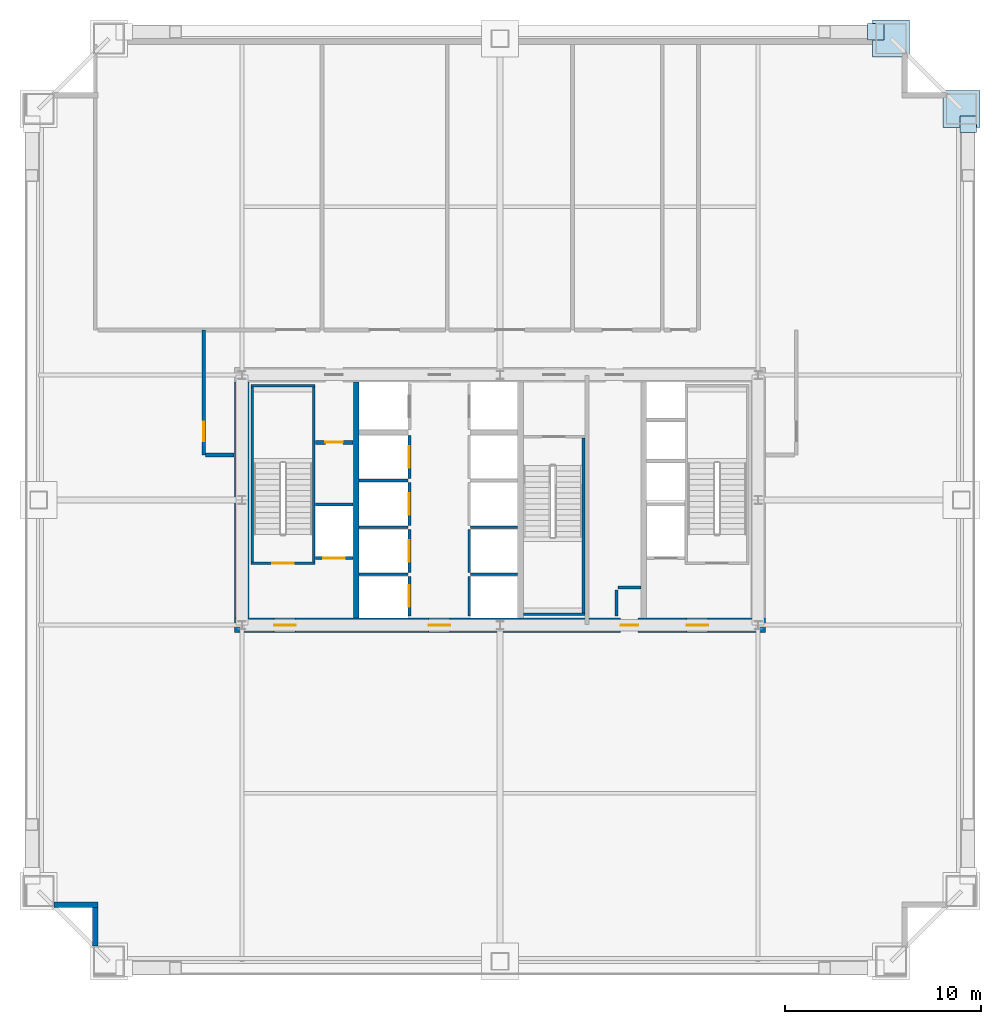
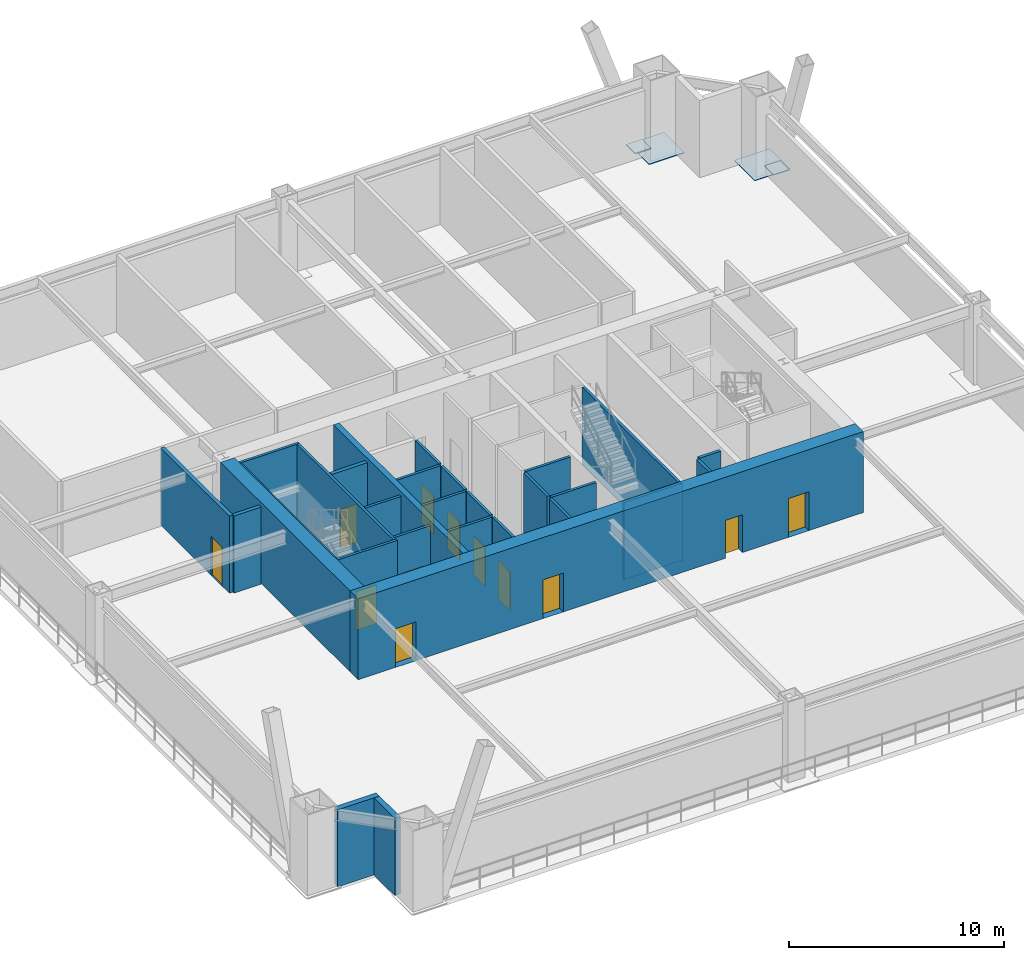
# One storey, part 3 of 9: 29 walls, 12 doors, 4 plates, 12 openings.
"""IFC4 building model written with IfcOpenShell, lengths in metres."""

from ifc_helpers import new_model, si_unit, direction, frame, frame_2d, origin, origin_2d, place, context, subcontext, project, spatial, rectangle, extrude, source, transform, mapped, material, layer, layer_set, type_object, element, fill, save


model = new_model("IFC4")

# Units and contexts
model_context = context("Model", 3, precision=1e-05, world=origin(), true_north=direction((0.0, 1.0)))
body_context = subcontext(model_context, "Body", "Model", "MODEL_VIEW")
ifc_project = project(units=[si_unit("LENGTHUNIT", "METRE"), si_unit("AREAUNIT", "SQUARE_METRE"), si_unit("VOLUMEUNIT", "CUBIC_METRE"), si_unit("PLANEANGLEUNIT", "RADIAN"), si_unit("MASSUNIT", "GRAM", prefix="KILO"), si_unit("THERMODYNAMICTEMPERATUREUNIT", "KELVIN"), si_unit("POWERUNIT", "WATT")], contexts=[model_context])

# Site, building, storey
site_placement = place(None, origin())
site = spatial("IfcSite", under=ifc_project, at=site_placement, CompositionType="ELEMENT")
building_placement = place(site_placement, origin())
building = spatial("IfcBuilding", under=site, at=building_placement, Name="Yuzanri Waterfront Tower", CompositionType="ELEMENT")
storey_placement = place(building_placement, frame((0.0, 0.0, 85.60009765625)))
storey = spatial("IfcBuildingStorey", under=building, at=storey_placement, Name="L22", CompositionType="ELEMENT", Elevation=85.60009765625)

# Plates
ifc_material_1 = material(Name="Steel Q420GJC", Category="steel")
ifc_layer_1 = layer(ifc_material_1, 0.044921875)
ifc_layer_set_1 = layer_set([ifc_layer_1], Name="Steel Q420GJC")
plate_type_1 = type_object("IfcPlateType", Name="Steel Q420GJC Setback Column-Transfer Diaphragm Cap Plate 45", PredefinedType="SHEET", material=ifc_layer_set_1)
shared_shape_1 = source(origin(), body_context, "Body", "SweptSolid", [
    extrude(rectangle(XDim=1.89990234375, YDim=1.89990234375, at=origin_2d()), origin(), (0.0, 0.0, 1.0), 0.044921875),
])
for number, where, z_axis, x_axis, name in (
    (1, (57.0, 49.39990234375, -0.0224609375), (0.0, 0.0, 1.0), (1.0, 0.0, 0.0), "L22 Column Base Closure Plate N3"),
    (2, (60.60009765625, 45.800048828125, -0.0224609375), (0.0, 0.0, 1.0), (1.0, 0.0, 0.0), "L22 Column Base Closure Plate E3"),
):
    element("IfcPlate", number, at=place(storey_placement, frame(where, z_axis=z_axis, x_axis=x_axis)), inside=storey, type_object=plate_type_1, Name=name, PredefinedType="SHEET", context=body_context, shape_type="MappedRepresentation", body=[
        mapped(shared_shape_1, transform((0.0, 0.0, 0.0), scale=1.0)),
    ])
ifc_material_2 = material(Name="Steel Q420GJC", Category="steel")
ifc_layer_2 = layer(ifc_material_2, 0.0400390625)
ifc_layer_set_2 = layer_set([ifc_layer_2], Name="Steel Q420GJC")
plate_type_2 = type_object("IfcPlateType", Name="Steel Q420GJC Mega-Brace Gusset and End-Cap Plate 40", PredefinedType="SHEET", material=ifc_layer_set_2)
shared_shape_2 = source(origin(), body_context, "Body", "SweptSolid", [
    extrude(rectangle(XDim=0.85009765625, YDim=0.85009765625, at=origin_2d()), origin(), (0.0, 0.0, 1.0), 0.0400390625),
])
for number, where, z_axis, x_axis, name in (
    (3, (56.219970703125, 49.739990234375, 0.159912109375), (0.0, 0.0, 1.0), (1.0, 0.0, 0.0), "L22 Mega-Brace Foot Cap Plate N-R"),
    (4, (60.93994140625, 45.02001953125, 0.159912109375), (0.0, 0.0, 1.0), (1.0, 0.0, 0.0), "L22 Mega-Brace Foot Cap Plate E-R"),
):
    element("IfcPlate", number, at=place(storey_placement, frame(where, z_axis=z_axis, x_axis=x_axis)), inside=storey, type_object=plate_type_2, Name=name, PredefinedType="SHEET", context=body_context, shape_type="MappedRepresentation", body=[
        mapped(shared_shape_2, transform((0.0, 0.0, 0.0), scale=1.0)),
    ])

# Wall, openings, doors
ifc_material_3 = material(Name="Concrete C55", Category="concrete")
ifc_layer_3 = layer(ifc_material_3, 0.75)
ifc_layer_set_3 = layer_set([ifc_layer_3], Name="Concrete C55")
wall_type_1 = type_object("IfcWallType", Name="Concrete C55 Low-Mid Zone Core Shear Wall 750", PredefinedType="SHEAR", material=ifc_layer_set_3)
wall_1_placement = place(storey_placement, frame((23.425048828125, 19.39990234375, 0.0), z_axis=(0.0, 0.0, 1.0), x_axis=(1.0, 0.0, 0.0)))
wall_1 = element("IfcWall", 5, at=wall_1_placement, inside=storey, type_object=wall_type_1, Name="L22 Core South Shear Wall", PredefinedType="SHEAR", context=body_context, shape_type="SweptSolid", body=[
    extrude(rectangle(XDim=27.14990234375, YDim=0.75, at=frame_2d((13.574951171875, 0.0))), origin(), (0.0, 0.0, 1.0), 4.599853515625),
])
opening_1_placement = place(wall_1_placement, frame((2.02490234375, 0.0, 0.0)))
opening_1 = element("IfcOpeningElement", 6, at=opening_1_placement, cuts=wall_1, Name="Opening FD-1100", PredefinedType="OPENING", context=body_context, shape_type="SweptSolid", body=[
    extrude(rectangle(XDim=1.10009765625, YDim=2.199951171875, at=frame_2d((0.550048828125, 1.10009765625))), frame((0.0, 0.389892578125, 0.0), z_axis=(0.0, -1.0, 0.0), x_axis=(1.0, 0.0, 0.0)), (0.0, 0.0, 1.0), 0.77978515625),
])
opening_2_placement = place(wall_1_placement, frame((9.925048828125, 0.0, 0.0)))
opening_2 = element("IfcOpeningElement", 7, at=opening_2_placement, cuts=wall_1, Name="Opening FD-1100", PredefinedType="OPENING", context=body_context, shape_type="SweptSolid", body=[
    extrude(rectangle(XDim=1.10009765625, YDim=2.199951171875, at=frame_2d((0.550048828125, 1.10009765625))), frame((0.0, 0.389892578125, 0.0), z_axis=(0.0, -1.0, 0.0), x_axis=(1.0, 0.0, 0.0)), (0.0, 0.0, 1.0), 0.77978515625),
])
opening_3_placement = place(wall_1_placement, frame((23.125, 0.0, 0.0)))
opening_3 = element("IfcOpeningElement", 8, at=opening_3_placement, cuts=wall_1, Name="Opening FD-1100", PredefinedType="OPENING", context=body_context, shape_type="SweptSolid", body=[
    extrude(rectangle(XDim=1.10009765625, YDim=2.199951171875, at=frame_2d((0.550048828125, 1.10009765625))), frame((0.0, 0.389892578125, 0.0), z_axis=(0.0, -1.0, 0.0), x_axis=(1.0, 0.0, 0.0)), (0.0, 0.0, 1.0), 0.77978515625),
])
opening_4_placement = place(wall_1_placement, frame((19.7451171875, 0.0, 0.0)))
opening_4 = element("IfcOpeningElement", 9, at=opening_4_placement, cuts=wall_1, Name="Opening FD-0900", PredefinedType="OPENING", context=body_context, shape_type="SweptSolid", body=[
    extrude(rectangle(XDim=0.89990234375, YDim=2.14990234375, at=frame_2d((0.449951171875, 1.074951171875))), frame((0.0, 0.389892578125, 0.0), z_axis=(0.0, -1.0, 0.0), x_axis=(1.0, 0.0, 0.0)), (0.0, 0.0, 1.0), 0.77978515625),
])
ifc_material_4 = material(Name="Painted Galvanized Fire Steel", Category="steel")
door_type_1 = type_object("IfcDoorType", Name="Smoke-Proof Stair and Lobby Fire Door 1100x2200", OperationType="NOTDEFINED", PredefinedType="DOOR", material=ifc_material_4)
shared_shape_3 = source(origin(), body_context, "Body", "SweptSolid", [
    extrude(rectangle(XDim=1.10009765625, YDim=2.199951171875, at=frame_2d((0.550048828125, 1.10009765625))), frame((0.0, 0.02490234375, 0.0), z_axis=(0.0, -1.0, 0.0), x_axis=(1.0, 0.0, 0.0)), (0.0, 0.0, 1.0), 0.050048828125),
])
door_1_placement = place(opening_1_placement, origin())
door_1 = element("IfcDoor", 10, at=door_1_placement, inside=storey, type_object=door_type_1, Name="L22 West Firefighting Lobby Door", OperationType="SINGLE_SWING_LEFT", OverallHeight=2.199951171875, OverallWidth=1.10009765625, PredefinedType="DOOR", context=body_context, shape_type="MappedRepresentation", body=[
    mapped(shared_shape_3, transform((0.0, 0.0, 0.0), scale=1.0)),
])
fill(opening_1, door_1)
door_2_placement = place(opening_2_placement, origin())
door_2 = element("IfcDoor", 11, at=door_2_placement, inside=storey, type_object=door_type_1, Name="L22 Central Lift Lobby South Door", OperationType="SINGLE_SWING_RIGHT", OverallHeight=2.199951171875, OverallWidth=1.10009765625, PredefinedType="DOOR", context=body_context, shape_type="MappedRepresentation", body=[
    mapped(shared_shape_3, transform((0.0, 0.0, 0.0), scale=1.0)),
])
fill(opening_2, door_2)
door_3_placement = place(opening_3_placement, origin())
door_3 = element("IfcDoor", 12, at=door_3_placement, inside=storey, type_object=door_type_1, Name="L22 East Firefighting Lobby Door", OperationType="SINGLE_SWING_LEFT", OverallHeight=2.199951171875, OverallWidth=1.10009765625, PredefinedType="DOOR", context=body_context, shape_type="MappedRepresentation", body=[
    mapped(shared_shape_3, transform((0.0, 0.0, 0.0), scale=1.0)),
])
fill(opening_3, door_3)
ifc_material_5 = material(Name="Painted Galvanized Fire Steel", Category="steel")
door_type_2 = type_object("IfcDoorType", Name="Riser and Service Room Fire Door 900x2150", OperationType="NOTDEFINED", PredefinedType="DOOR", material=ifc_material_5)
shared_shape_4 = source(origin(), body_context, "Body", "SweptSolid", [
    extrude(rectangle(XDim=0.89990234375, YDim=2.14990234375, at=frame_2d((0.449951171875, 1.074951171875))), frame((0.0, 0.02490234375, 0.0), z_axis=(0.0, -1.0, 0.0), x_axis=(1.0, 0.0, 0.0)), (0.0, 0.0, 1.0), 0.050048828125),
])
door_4_placement = place(opening_4_placement, origin())
door_4 = element("IfcDoor", 13, at=door_4_placement, inside=storey, type_object=door_type_2, Name="L22 East Wet Riser Door", OperationType="SINGLE_SWING_RIGHT", OverallHeight=2.14990234375, OverallWidth=0.89990234375, PredefinedType="DOOR", context=body_context, shape_type="MappedRepresentation", body=[
    mapped(shared_shape_4, transform((0.0, 0.0, 0.0), scale=1.0)),
])
fill(opening_4, door_4)

# Wall, opening, door
ifc_material_6 = material(Name="Concrete C40", Category="concrete")
ifc_layer_4 = layer(ifc_material_6, 0.139892578125)
ifc_layer_set_4 = layer_set([ifc_layer_4], Name="Concrete C40")
wall_type_2 = type_object("IfcWallType", Name="Core Stair Liner and Hoistway Shaft Wall 140", PredefinedType="SOLIDWALL", material=ifc_layer_set_4)
wall_2_placement = place(storey_placement, frame((27.56005859375, 22.830078125, 0.0), z_axis=(0.0, 0.0, 1.0), x_axis=(1.0, 0.0, 0.0)))
wall_2 = element("IfcWall", 14, at=wall_2_placement, inside=storey, type_object=wall_type_2, Name="L22 Lift FL-01 Front Shaft Wall", PredefinedType="SOLIDWALL", context=body_context, shape_type="SweptSolid", body=[
    extrude(rectangle(XDim=1.919921875, YDim=0.139892578125, at=frame_2d((0.9599609375, 0.0))), origin(), (0.0, 0.0, 1.0), 4.3798828125),
])
opening_5_placement = place(wall_2_placement, frame((0.409912109375, 0.0, 0.0)))
opening_5 = element("IfcOpeningElement", 15, at=opening_5_placement, cuts=wall_2, Name="Opening LD-FL-01", PredefinedType="OPENING", context=body_context, shape_type="SweptSolid", body=[
    extrude(rectangle(XDim=1.10009765625, YDim=2.199951171875, at=frame_2d((0.550048828125, 1.10009765625))), frame((0.0, 0.0849609375, 0.0), z_axis=(0.0, -1.0, 0.0), x_axis=(1.0, 0.0, 0.0)), (0.0, 0.0, 1.0), 0.169677734375),
])
ifc_material_7 = material(Name="Brushed Bronze and Stainless Steel Cab", Category="steel")
door_type_3 = type_object("IfcDoorType", Name="Center-Parting Bronze Lift Landing Sliding Door 1100x2200", OperationType="NOTDEFINED", PredefinedType="DOOR", material=ifc_material_7)
shared_shape_5 = source(origin(), body_context, "Body", "SweptSolid", [
    extrude(rectangle(XDim=1.10009765625, YDim=2.199951171875, at=frame_2d((0.550048828125, 1.10009765625))), frame((0.0, 0.02490234375, 0.0), z_axis=(0.0, -1.0, 0.0), x_axis=(1.0, 0.0, 0.0)), (0.0, 0.0, 1.0), 0.050048828125),
])
door_5_placement = place(opening_5_placement, origin())
door_5 = element("IfcDoor", 16, at=door_5_placement, inside=storey, type_object=door_type_3, Name="L22 FL-01 Lift Landing Sliding Door", OperationType="SLIDING_TO_LEFT", OverallHeight=2.199951171875, OverallWidth=1.10009765625, PredefinedType="DOOR", context=body_context, shape_type="MappedRepresentation", body=[
    mapped(shared_shape_5, transform((0.0, 0.0, 0.0), scale=1.0)),
])
fill(opening_5, door_5)

wall_3_placement = place(storey_placement, frame((32.3701171875, 19.860107421875, 0.0), z_axis=(0.0, 0.0, 1.0), x_axis=(0.0, 1.0, 0.0)))
wall_3 = element("IfcWall", 17, at=wall_3_placement, inside=storey, type_object=wall_type_2, Name="L22 Lift PL-01 Front Shaft Wall", PredefinedType="SOLIDWALL", context=body_context, shape_type="SweptSolid", body=[
    extrude(rectangle(XDim=2.039794921875, YDim=0.139892578125, at=frame_2d((1.02001953125, 0.0))), origin(), (0.0, 0.0, 1.0), 4.3798828125),
])
opening_6_placement = place(wall_3_placement, frame((0.469970703125, 0.0, 0.0)))
opening_6 = element("IfcOpeningElement", 18, at=opening_6_placement, cuts=wall_3, Name="Opening LD-PL-01", PredefinedType="OPENING", context=body_context, shape_type="SweptSolid", body=[
    extrude(rectangle(XDim=1.10009765625, YDim=2.199951171875, at=frame_2d((0.550048828125, 1.10009765625))), frame((0.0, 0.0849609375, 0.0), z_axis=(0.0, -1.0, 0.0), x_axis=(1.0, 0.0, 0.0)), (0.0, 0.0, 1.0), 0.169677734375),
])
door_6_placement = place(opening_6_placement, origin())
door_6 = element("IfcDoor", 19, at=door_6_placement, inside=storey, type_object=door_type_3, Name="L22 PL-01 Lift Landing Sliding Door", OperationType="SLIDING_TO_LEFT", OverallHeight=2.199951171875, OverallWidth=1.10009765625, PredefinedType="DOOR", context=body_context, shape_type="MappedRepresentation", body=[
    mapped(shared_shape_5, transform((0.0, 0.0, 0.0), scale=1.0)),
])
fill(opening_6, door_6)

wall_4_placement = place(storey_placement, frame((32.3701171875, 22.10009765625, 0.0), z_axis=(0.0, 0.0, 1.0), x_axis=(0.0, 1.0, 0.0)))
wall_4 = element("IfcWall", 20, at=wall_4_placement, inside=storey, type_object=wall_type_2, Name="L22 Lift PL-02 Front Shaft Wall", PredefinedType="SOLIDWALL", context=body_context, shape_type="SweptSolid", body=[
    extrude(rectangle(XDim=2.199951171875, YDim=0.139892578125, at=frame_2d((1.10009765625, 0.0))), origin(), (0.0, 0.0, 1.0), 4.3798828125),
])
opening_7_placement = place(wall_4_placement, frame((0.550048828125, 0.0, 0.0)))
opening_7 = element("IfcOpeningElement", 21, at=opening_7_placement, cuts=wall_4, Name="Opening LD-PL-02", PredefinedType="OPENING", context=body_context, shape_type="SweptSolid", body=[
    extrude(rectangle(XDim=1.10009765625, YDim=2.199951171875, at=frame_2d((0.550048828125, 1.10009765625))), frame((0.0, 0.0849609375, 0.0), z_axis=(0.0, -1.0, 0.0), x_axis=(1.0, 0.0, 0.0)), (0.0, 0.0, 1.0), 0.169677734375),
])
door_7_placement = place(opening_7_placement, origin())
door_7 = element("IfcDoor", 22, at=door_7_placement, inside=storey, type_object=door_type_3, Name="L22 PL-02 Lift Landing Sliding Door", OperationType="SLIDING_TO_RIGHT", OverallHeight=2.199951171875, OverallWidth=1.10009765625, PredefinedType="DOOR", context=body_context, shape_type="MappedRepresentation", body=[
    mapped(shared_shape_5, transform((0.0, 0.0, 0.0), scale=1.0)),
])
fill(opening_7, door_7)

wall_5_placement = place(storey_placement, frame((32.3701171875, 24.5, 0.0), z_axis=(0.0, 0.0, 1.0), x_axis=(0.0, 1.0, 0.0)))
wall_5 = element("IfcWall", 23, at=wall_5_placement, inside=storey, type_object=wall_type_2, Name="L22 Lift PL-03 Front Shaft Wall", PredefinedType="SOLIDWALL", context=body_context, shape_type="SweptSolid", body=[
    extrude(rectangle(XDim=2.199951171875, YDim=0.139892578125, at=frame_2d((1.10009765625, 0.0))), origin(), (0.0, 0.0, 1.0), 4.3798828125),
])
opening_8_placement = place(wall_5_placement, frame((0.550048828125, 0.0, 0.0)))
opening_8 = element("IfcOpeningElement", 24, at=opening_8_placement, cuts=wall_5, Name="Opening LD-PL-03", PredefinedType="OPENING", context=body_context, shape_type="SweptSolid", body=[
    extrude(rectangle(XDim=1.10009765625, YDim=2.199951171875, at=frame_2d((0.550048828125, 1.10009765625))), frame((0.0, 0.0849609375, 0.0), z_axis=(0.0, -1.0, 0.0), x_axis=(1.0, 0.0, 0.0)), (0.0, 0.0, 1.0), 0.169677734375),
])
door_8_placement = place(opening_8_placement, origin())
door_8 = element("IfcDoor", 25, at=door_8_placement, inside=storey, type_object=door_type_3, Name="L22 PL-03 Lift Landing Sliding Door", OperationType="SLIDING_TO_LEFT", OverallHeight=2.199951171875, OverallWidth=1.10009765625, PredefinedType="DOOR", context=body_context, shape_type="MappedRepresentation", body=[
    mapped(shared_shape_5, transform((0.0, 0.0, 0.0), scale=1.0)),
])
fill(opening_8, door_8)

wall_6_placement = place(storey_placement, frame((32.3701171875, 26.89990234375, 0.0), z_axis=(0.0, 0.0, 1.0), x_axis=(0.0, 1.0, 0.0)))
wall_6 = element("IfcWall", 26, at=wall_6_placement, inside=storey, type_object=wall_type_2, Name="L22 Lift PL-04 Front Shaft Wall", PredefinedType="SOLIDWALL", context=body_context, shape_type="SweptSolid", body=[
    extrude(rectangle(XDim=2.2001953125, YDim=0.139892578125, at=frame_2d((1.10009765625, 0.0))), origin(), (0.0, 0.0, 1.0), 4.3798828125),
])
opening_9_placement = place(wall_6_placement, frame((0.550048828125, 0.0, 0.0)))
opening_9 = element("IfcOpeningElement", 27, at=opening_9_placement, cuts=wall_6, Name="Opening LD-PL-04", PredefinedType="OPENING", context=body_context, shape_type="SweptSolid", body=[
    extrude(rectangle(XDim=1.10009765625, YDim=2.199951171875, at=frame_2d((0.550048828125, 1.10009765625))), frame((0.0, 0.0849609375, 0.0), z_axis=(0.0, -1.0, 0.0), x_axis=(1.0, 0.0, 0.0)), (0.0, 0.0, 1.0), 0.169677734375),
])
door_9_placement = place(opening_9_placement, origin())
door_9 = element("IfcDoor", 28, at=door_9_placement, inside=storey, type_object=door_type_3, Name="L22 PL-04 Lift Landing Sliding Door", OperationType="SLIDING_TO_RIGHT", OverallHeight=2.199951171875, OverallWidth=1.10009765625, PredefinedType="DOOR", context=body_context, shape_type="MappedRepresentation", body=[
    mapped(shared_shape_5, transform((0.0, 0.0, 0.0), scale=1.0)),
])
fill(opening_9, door_9)

wall_7_placement = place(storey_placement, frame((24.260009765625, 22.570068359375, 0.0), z_axis=(0.0, 0.0, 1.0), x_axis=(1.0, 0.0, 0.0)))
wall_7 = element("IfcWall", 29, at=wall_7_placement, inside=storey, type_object=wall_type_2, Name="L22 Shaft Wall STW-L22-ST-01-S", PredefinedType="SOLIDWALL", context=body_context, shape_type="SweptSolid", body=[
    extrude(rectangle(XDim=3.280029296875, YDim=0.139892578125, at=frame_2d((1.64013671875, 0.0))), origin(), (0.0, 0.0, 1.0), 4.3798828125),
])
opening_10_placement = place(wall_7_placement, frame((1.090087890625, 0.0, 0.0)))
opening_10 = element("IfcOpeningElement", 30, at=opening_10_placement, cuts=wall_7, Name="Opening FD-1100", PredefinedType="OPENING", context=body_context, shape_type="SweptSolid", body=[
    extrude(rectangle(XDim=1.10009765625, YDim=2.199951171875, at=frame_2d((0.550048828125, 1.10009765625))), frame((0.0, 0.0849609375, 0.0), z_axis=(0.0, -1.0, 0.0), x_axis=(1.0, 0.0, 0.0)), (0.0, 0.0, 1.0), 0.169677734375),
])
door_10_placement = place(opening_10_placement, origin())
door_10 = element("IfcDoor", 31, at=door_10_placement, inside=storey, type_object=door_type_1, Name="L22 Stair ST-01 Fire Door", OperationType="SINGLE_SWING_RIGHT", OverallHeight=2.199951171875, OverallWidth=1.10009765625, PredefinedType="DOOR", context=body_context, shape_type="MappedRepresentation", body=[
    mapped(shared_shape_3, transform((0.0, 0.0, 0.0), scale=1.0)),
])
fill(opening_10, door_10)

ifc_material_8 = material(Name="Autoclaved Aerated Concrete Blockwork", Category="masonry")
ifc_layer_5 = layer(ifc_material_8, 0.199951171875)
ifc_layer_set_5 = layer_set([ifc_layer_5], Name="Autoclaved Aerated Concrete Blockwork")
wall_type_3 = type_object("IfcWallType", Name="Corridor and Unit Party Fire Wall 200", PredefinedType="PARTITIONING", material=ifc_layer_set_5)
wall_8_placement = place(storey_placement, frame((27.56005859375, 28.75, 0.0), z_axis=(0.0, 0.0, 1.0), x_axis=(1.0, 0.0, 0.0)))
wall_8 = element("IfcWall", 32, at=wall_8_placement, inside=storey, type_object=wall_type_3, Name="L22 Partition CRW-L22-ERTR", PredefinedType="PARTITIONING", context=body_context, shape_type="SweptSolid", body=[
    extrude(rectangle(XDim=1.919921875, YDim=0.199951171875, at=frame_2d((0.9599609375, 0.0))), origin(), (0.0, 0.0, 1.0), 4.3798828125),
])
opening_11_placement = place(wall_8_placement, frame((0.510009765625, 0.0, 0.0)))
opening_11 = element("IfcOpeningElement", 33, at=opening_11_placement, cuts=wall_8, Name="Opening FD-0900", PredefinedType="OPENING", context=body_context, shape_type="SweptSolid", body=[
    extrude(rectangle(XDim=0.89990234375, YDim=2.14990234375, at=frame_2d((0.449951171875, 1.074951171875))), frame((0.0, 0.11474609375, 0.0), z_axis=(0.0, -1.0, 0.0), x_axis=(1.0, 0.0, 0.0)), (0.0, 0.0, 1.0), 0.229736328125),
])
door_11_placement = place(opening_11_placement, origin())
door_11 = element("IfcDoor", 34, at=door_11_placement, inside=storey, type_object=door_type_2, Name="L22 Electrical Riser Door", OperationType="SINGLE_SWING_LEFT", OverallHeight=2.14990234375, OverallWidth=0.89990234375, PredefinedType="DOOR", context=body_context, shape_type="MappedRepresentation", body=[
    mapped(shared_shape_4, transform((0.0, 0.0, 0.0), scale=1.0)),
])
fill(opening_11, door_11)

wall_9_placement = place(storey_placement, frame((21.85009765625, 28.10009765625, 0.0), z_axis=(0.0, 0.0, 1.0), x_axis=(0.0, 1.0, 0.0)))
wall_9 = element("IfcWall", 35, at=wall_9_placement, inside=storey, type_object=wall_type_3, Name="L22 Partition RFW-L22-CW", PredefinedType="PARTITIONING", context=body_context, shape_type="SweptSolid", body=[
    extrude(rectangle(XDim=6.39990234375, YDim=0.199951171875, at=frame_2d((3.199951171875, 0.0))), origin(), (0.0, 0.0, 1.0), 4.3798828125),
])
opening_12_placement = place(wall_9_placement, frame((0.699951171875, 0.0, 0.0)))
opening_12 = element("IfcOpeningElement", 36, at=opening_12_placement, cuts=wall_9, Name="Opening TD-1000", PredefinedType="OPENING", context=body_context, shape_type="SweptSolid", body=[
    extrude(rectangle(XDim=1.0, YDim=2.199951171875, at=frame_2d((0.5, 1.10009765625))), frame((0.0, 0.11474609375, 0.0), z_axis=(0.0, -1.0, 0.0), x_axis=(1.0, 0.0, 0.0)), (0.0, 0.0, 1.0), 0.229736328125),
])
ifc_material_9 = material(Name="Anodized Architectural Bronze", Category="metal")
door_type_4 = type_object("IfcDoorType", Name="Anodized Bronze Refuge Deck Weatherproof Exit Door 1000x2200", OperationType="NOTDEFINED", PredefinedType="DOOR", material=ifc_material_9)
shared_shape_6 = source(origin(), body_context, "Body", "SweptSolid", [
    extrude(rectangle(XDim=1.0, YDim=2.199951171875, at=frame_2d((0.5, 1.10009765625))), frame((0.0, 0.02490234375, 0.0), z_axis=(0.0, -1.0, 0.0), x_axis=(1.0, 0.0, 0.0)), (0.0, 0.0, 1.0), 0.050048828125),
])
door_12_placement = place(opening_12_placement, origin())
door_12 = element("IfcDoor", 37, at=door_12_placement, inside=storey, type_object=door_type_4, Name="L22 West Refuge Deck Exit Door", OperationType="SINGLE_SWING_RIGHT", OverallHeight=2.199951171875, OverallWidth=1.0, PredefinedType="DOOR", context=body_context, shape_type="MappedRepresentation", body=[
    mapped(shared_shape_6, transform((0.0, 0.0, 0.0), scale=1.0)),
])
fill(opening_12, door_12)

# Walls
shared_shape_7 = source(origin(), body_context, "Body", "SweptSolid", [
    extrude(rectangle(XDim=12.050048828125, YDim=0.75, at=frame_2d((6.02490234375, 0.0))), origin(), (0.0, 0.0, 1.0), 4.599853515625),
])
wall_10_placement = place(storey_placement, frame((23.800048828125, 19.77490234375, 0.0), z_axis=(0.0, 0.0, 1.0), x_axis=(0.0, 1.0, 0.0)))
element("IfcWall", 38, at=wall_10_placement, inside=storey, type_object=wall_type_1, Name="L22 Core West Shear Wall", PredefinedType="SHEAR", context=body_context, shape_type="MappedRepresentation", body=[
    mapped(shared_shape_7, transform((0.0, 0.0, 0.0), scale=1.0)),
])
ifc_material_10 = material(Name="Concrete C50", Category="concrete")
ifc_layer_6 = layer(ifc_material_10, 0.300048828125)
ifc_layer_set_6 = layer_set([ifc_layer_6], Name="Concrete C50")
wall_type_4 = type_object("IfcWallType", Name="Concrete C50 Internal Core Shaft Structural Wall 300", PredefinedType="SOLIDWALL", material=ifc_layer_set_6)
shared_shape_8 = source(origin(), body_context, "Body", "SweptSolid", [
    extrude(rectangle(XDim=12.050048828125, YDim=0.300048828125, at=frame_2d((6.02490234375, 0.0))), origin(), (0.0, 0.0, 1.0), 4.599853515625),
])
wall_11_placement = place(storey_placement, frame((29.64990234375, 19.77490234375, 0.0), z_axis=(0.0, 0.0, 1.0), x_axis=(0.0, 1.0, 0.0)))
element("IfcWall", 39, at=wall_11_placement, inside=storey, type_object=wall_type_4, Name="L22 Core Internal Structural Web Wall 1", PredefinedType="SOLIDWALL", context=body_context, shape_type="MappedRepresentation", body=[
    mapped(shared_shape_8, transform((0.0, 0.0, 0.0), scale=1.0)),
])
ifc_material_11 = material(Name="Honed Chongqing Dark Basalt Stone", Category="masonry")
ifc_layer_7 = layer(ifc_material_11, 0.300048828125)
ifc_layer_set_7 = layer_set([ifc_layer_7], Name="Honed Chongqing Dark Basalt Stone")
wall_type_5 = type_object("IfcWallType", Name="Bronze Rainscreen Insulated Spandrel Portal Wall 300", PredefinedType="SOLIDWALL", material=ifc_layer_set_7)
shared_shape_9 = source(origin(), body_context, "Body", "SweptSolid", [
    extrude(rectangle(XDim=2.25, YDim=0.300048828125, at=frame_2d((1.125, 0.0))), origin(), (0.0, 0.0, 1.0), 4.3798828125),
])
for number, where, z_axis, x_axis, name in (
    (40, (14.199951171875, 5.10009765625, 0.0), (0.0, 0.0, 1.0), (1.0, 0.0, 0.0), "L22 Notched Corner Masonry Wall SW-X"),
    (41, (16.300048828125, 5.25, 0.0), (0.0, 0.0, 1.0), (0.0, -1.0, 0.0), "L22 Notched Corner Masonry Wall SW-Y"),
):
    element("IfcWall", number, at=place(storey_placement, frame(where, z_axis=z_axis, x_axis=x_axis)), inside=storey, type_object=wall_type_5, Name=name, PredefinedType="SOLIDWALL", context=body_context, shape_type="MappedRepresentation", body=[
        mapped(shared_shape_9, transform((0.0, 0.0, 0.0), scale=1.0)),
    ])
shared_shape_10 = source(origin(), body_context, "Body", "SweptSolid", [
    extrude(rectangle(XDim=1.919921875, YDim=0.139892578125, at=frame_2d((0.9599609375, 0.0))), origin(), (0.0, 0.0, 1.0), 4.3798828125),
])
wall_12_placement = place(storey_placement, frame((27.56005859375, 25.570068359375, 0.0), z_axis=(0.0, 0.0, 1.0), x_axis=(1.0, 0.0, 0.0)))
element("IfcWall", 42, at=wall_12_placement, inside=storey, type_object=wall_type_2, Name="L22 Lift FL-01 Back Shaft Wall", PredefinedType="SOLIDWALL", context=body_context, shape_type="MappedRepresentation", body=[
    mapped(shared_shape_10, transform((0.0, 0.0, 0.0), scale=1.0)),
])
shared_shape_11 = source(origin(), body_context, "Body", "SweptSolid", [
    extrude(rectangle(XDim=2.5, YDim=0.139892578125, at=frame_2d((1.25, 0.0))), origin(), (0.0, 0.0, 1.0), 4.3798828125),
])
for number, where, z_axis, x_axis, name in (
    (43, (29.800048828125, 22.0, 0.0), (0.0, 0.0, 1.0), (1.0, 0.0, 0.0), "L22 Lift PL-01 Divider Wall"),
    (44, (29.800048828125, 24.39990234375, 0.0), (0.0, 0.0, 1.0), (1.0, 0.0, 0.0), "L22 Lift PL-02 Divider Wall"),
    (45, (29.800048828125, 26.800048828125, 0.0), (0.0, 0.0, 1.0), (1.0, 0.0, 0.0), "L22 Lift PL-03 Divider Wall"),
):
    element("IfcWall", number, at=place(storey_placement, frame(where, z_axis=z_axis, x_axis=x_axis)), inside=storey, type_object=wall_type_2, Name=name, PredefinedType="SOLIDWALL", context=body_context, shape_type="MappedRepresentation", body=[
        mapped(shared_shape_11, transform((0.0, 0.0, 0.0), scale=1.0)),
    ])
shared_shape_12 = source(origin(), body_context, "Body", "SweptSolid", [
    extrude(rectangle(XDim=2.039794921875, YDim=0.139892578125, at=frame_2d((1.02001953125, 0.0))), origin(), (0.0, 0.0, 1.0), 4.3798828125),
])
wall_13_placement = place(storey_placement, frame((35.429931640625, 19.860107421875, 0.0), z_axis=(0.0, 0.0, 1.0), x_axis=(0.0, 1.0, 0.0)))
element("IfcWall", 46, at=wall_13_placement, inside=storey, type_object=wall_type_2, Name="L22 Lift PL-05 Front Shaft Wall", PredefinedType="SOLIDWALL", context=body_context, shape_type="MappedRepresentation", body=[
    mapped(shared_shape_12, transform((0.0, 0.0, 0.0), scale=1.0)),
])
shared_shape_13 = source(origin(), body_context, "Body", "SweptSolid", [
    extrude(rectangle(XDim=2.39990234375, YDim=0.139892578125, at=frame_2d((1.199951171875, 0.0))), origin(), (0.0, 0.0, 1.0), 4.3798828125),
])
for number, where, z_axis, x_axis, name in (
    (47, (35.5, 22.0, 0.0), (0.0, 0.0, 1.0), (1.0, 0.0, 0.0), "L22 Lift PL-05 Divider Wall"),
    (48, (35.5, 24.39990234375, 0.0), (0.0, 0.0, 1.0), (1.0, 0.0, 0.0), "L22 Lift PL-06 Divider Wall"),
):
    element("IfcWall", number, at=place(storey_placement, frame(where, z_axis=z_axis, x_axis=x_axis)), inside=storey, type_object=wall_type_2, Name=name, PredefinedType="SOLIDWALL", context=body_context, shape_type="MappedRepresentation", body=[
        mapped(shared_shape_13, transform((0.0, 0.0, 0.0), scale=1.0)),
    ])
shared_shape_14 = source(origin(), body_context, "Body", "SweptSolid", [
    extrude(rectangle(XDim=2.199951171875, YDim=0.139892578125, at=frame_2d((1.10009765625, 0.0))), origin(), (0.0, 0.0, 1.0), 4.3798828125),
])
wall_14_placement = place(storey_placement, frame((35.429931640625, 22.10009765625, 0.0), z_axis=(0.0, 0.0, 1.0), x_axis=(0.0, 1.0, 0.0)))
element("IfcWall", 49, at=wall_14_placement, inside=storey, type_object=wall_type_2, Name="L22 Lift PL-06 Front Shaft Wall", PredefinedType="SOLIDWALL", context=body_context, shape_type="MappedRepresentation", body=[
    mapped(shared_shape_14, transform((0.0, 0.0, 0.0), scale=1.0)),
])
shared_shape_15 = source(origin(), body_context, "Body", "SweptSolid", [
    extrude(rectangle(XDim=3.280029296875, YDim=0.139892578125, at=frame_2d((1.64013671875, 0.0))), origin(), (0.0, 0.0, 1.0), 4.3798828125),
])
wall_15_placement = place(storey_placement, frame((24.260009765625, 31.64990234375, 0.0), z_axis=(0.0, 0.0, 1.0), x_axis=(1.0, 0.0, 0.0)))
element("IfcWall", 50, at=wall_15_placement, inside=storey, type_object=wall_type_2, Name="L22 Stair ST-01 North Shaft Wall", PredefinedType="SOLIDWALL", context=body_context, shape_type="MappedRepresentation", body=[
    mapped(shared_shape_15, transform((0.0, 0.0, 0.0), scale=1.0)),
])
shared_shape_16 = source(origin(), body_context, "Body", "SweptSolid", [
    extrude(rectangle(XDim=8.940185546875, YDim=0.139892578125, at=frame_2d((4.47021484375, 0.0))), origin(), (0.0, 0.0, 1.0), 4.3798828125),
])
for number, where, z_axis, x_axis, name in (
    (51, (24.330078125, 22.639892578125, 0.0), (0.0, 0.0, 1.0), (0.0, 1.0, 0.0), "L22 Stair ST-01 West Shaft Wall"),
    (52, (27.469970703125, 22.639892578125, 0.0), (0.0, 0.0, 1.0), (0.0, 1.0, 0.0), "L22 Stair ST-01 East Shaft Wall"),
):
    element("IfcWall", number, at=place(storey_placement, frame(where, z_axis=z_axis, x_axis=x_axis)), inside=storey, type_object=wall_type_2, Name=name, PredefinedType="SOLIDWALL", context=body_context, shape_type="MappedRepresentation", body=[
        mapped(shared_shape_16, transform((0.0, 0.0, 0.0), scale=1.0)),
    ])
shared_shape_17 = source(origin(), body_context, "Body", "SweptSolid", [
    extrude(rectangle(XDim=3.14013671875, YDim=0.139892578125, at=frame_2d((1.570068359375, 0.0))), origin(), (0.0, 0.0, 1.0), 4.3798828125),
])
wall_16_placement = place(storey_placement, frame((38.199951171875, 19.949951171875, 0.0), z_axis=(0.0, 0.0, 1.0), x_axis=(1.0, 0.0, 0.0)))
element("IfcWall", 53, at=wall_16_placement, inside=storey, type_object=wall_type_2, Name="L22 Stair ST-03 South Shaft Wall", PredefinedType="SOLIDWALL", context=body_context, shape_type="MappedRepresentation", body=[
    mapped(shared_shape_17, transform((0.0, 0.0, 0.0), scale=1.0)),
])
shared_shape_18 = source(origin(), body_context, "Body", "SweptSolid", [
    extrude(rectangle(XDim=8.93994140625, YDim=0.139892578125, at=frame_2d((4.469970703125, 0.0))), origin(), (0.0, 0.0, 1.0), 4.3798828125),
])
wall_17_placement = place(storey_placement, frame((41.27001953125, 20.02001953125, 0.0), z_axis=(0.0, 0.0, 1.0), x_axis=(0.0, 1.0, 0.0)))
element("IfcWall", 54, at=wall_17_placement, inside=storey, type_object=wall_type_2, Name="L22 Stair ST-03 East Shaft Wall", PredefinedType="SOLIDWALL", context=body_context, shape_type="MappedRepresentation", body=[
    mapped(shared_shape_18, transform((0.0, 0.0, 0.0), scale=1.0)),
])
ifc_material_12 = material(Name="Gypsum Fireboard Acoustic Stud Wall", Category="gypsum")
ifc_layer_8 = layer(ifc_material_12, 0.159912109375)
ifc_layer_set_8 = layer_set([ifc_layer_8], Name="Gypsum Fireboard Acoustic Stud Wall")
wall_type_6 = type_object("IfcWallType", Name="Acoustic Suite Demising Partition 160", PredefinedType="PARTITIONING", material=ifc_layer_set_8)
shared_shape_19 = source(origin(), body_context, "Body", "SweptSolid", [
    extrude(rectangle(XDim=1.33984375, YDim=0.159912109375, at=frame_2d((0.669921875, 0.0))), origin(), (0.0, 0.0, 1.0), 4.3798828125),
])
wall_18_placement = place(storey_placement, frame((42.949951171875, 19.860107421875, 0.0), z_axis=(0.0, 0.0, 1.0), x_axis=(0.0, 1.0, 0.0)))
element("IfcWall", 55, at=wall_18_placement, inside=storey, type_object=wall_type_6, Name="L22 East Wet Riser West Wall", PredefinedType="PARTITIONING", context=body_context, shape_type="MappedRepresentation", body=[
    mapped(shared_shape_19, transform((0.0, 0.0, 0.0), scale=1.0)),
])
shared_shape_20 = source(origin(), body_context, "Body", "SweptSolid", [
    extrude(rectangle(XDim=1.169921875, YDim=0.159912109375, at=frame_2d((0.5849609375, 0.0))), origin(), (0.0, 0.0, 1.0), 4.3798828125),
])
wall_19_placement = place(storey_placement, frame((43.030029296875, 21.320068359375, 0.0), z_axis=(0.0, 0.0, 1.0), x_axis=(1.0, 0.0, 0.0)))
element("IfcWall", 56, at=wall_19_placement, inside=storey, type_object=wall_type_6, Name="L22 East Wet Riser North Wall", PredefinedType="PARTITIONING", context=body_context, shape_type="MappedRepresentation", body=[
    mapped(shared_shape_20, transform((0.0, 0.0, 0.0), scale=1.0)),
])
shared_shape_21 = source(origin(), body_context, "Body", "SweptSolid", [
    extrude(rectangle(XDim=1.455078125, YDim=0.199951171875, at=frame_2d((0.7275390625, 0.0))), origin(), (0.0, 0.0, 1.0), 4.3798828125),
])
wall_20_placement = place(storey_placement, frame((21.949951171875, 28.10009765625, 0.0), z_axis=(0.0, 0.0, 1.0), x_axis=(1.0, 0.0, 0.0)))
element("IfcWall", 57, at=wall_20_placement, inside=storey, type_object=wall_type_3, Name="L22 West Refuge Vestibule South Wall", PredefinedType="PARTITIONING", context=body_context, shape_type="MappedRepresentation", body=[
    mapped(shared_shape_21, transform((0.0, 0.0, 0.0), scale=1.0)),
])

save(model, "model.ifc")
